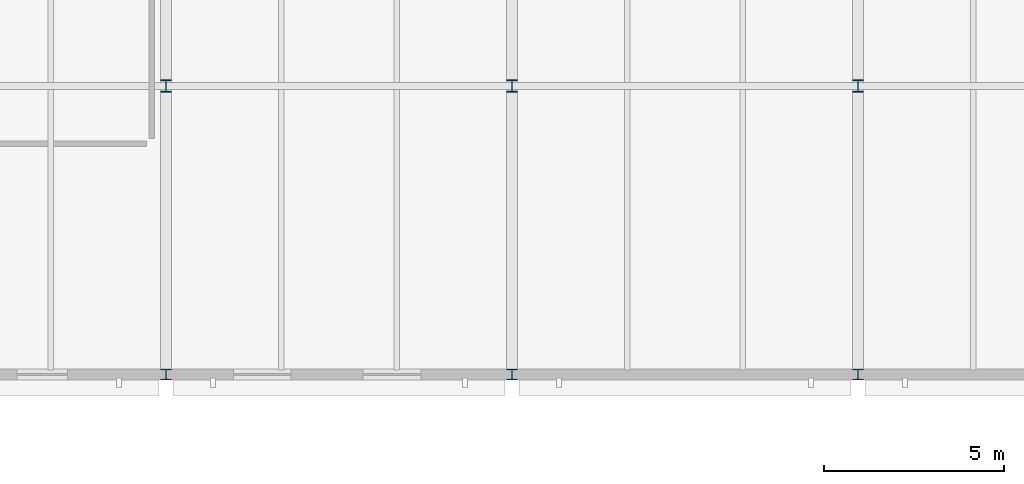
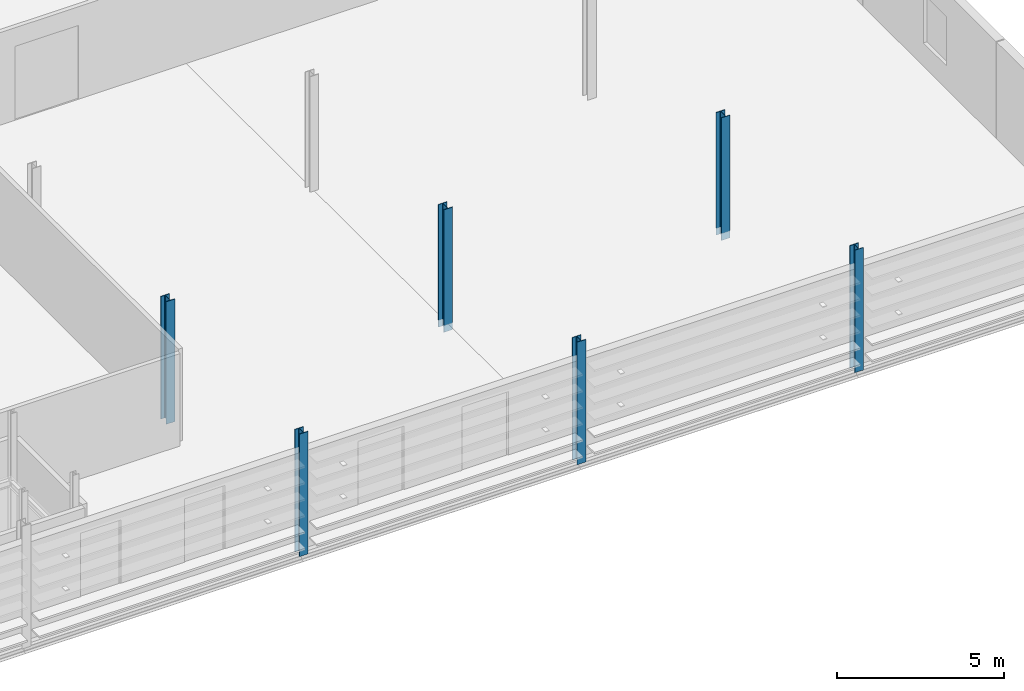
# One storey, part 2 of 73: 6 columns.
"""IFC4 building model written with IfcOpenShell, lengths in metres."""

from ifc_helpers import new_model, si_unit, direction, frame, origin, origin_2d, place, context, subcontext, project, spatial, i_section, extrude, material, material_profile, profile_set, type_object, element, save


model = new_model("IFC4")

# Units and contexts
model_context = context("Model", 3, precision=1e-05, world=origin(), true_north=direction((0.0, 1.0)))
body_context = subcontext(model_context, "Body", "Model", "MODEL_VIEW")
ifc_project = project(units=[si_unit("LENGTHUNIT", "METRE"), si_unit("AREAUNIT", "SQUARE_METRE"), si_unit("VOLUMEUNIT", "CUBIC_METRE"), si_unit("PLANEANGLEUNIT", "RADIAN"), si_unit("MASSUNIT", "GRAM", prefix="KILO")], contexts=[model_context])

# Site, building, storey
site_placement = place(None, origin())
site = spatial("IfcSite", under=ifc_project, at=site_placement, CompositionType="ELEMENT")
building_placement = place(site_placement, origin())
building = spatial("IfcBuilding", under=site, at=building_placement, Name="Alderhovde Museum", CompositionType="ELEMENT")
storey_placement = place(building_placement, frame((0.0, 0.0, 12.89990234375)))
storey = spatial("IfcBuildingStorey", under=building, at=storey_placement, Name="L03", CompositionType="ELEMENT", Elevation=12.89990234375)

# Columns
ifc_material_1 = material(Name="Steel S355J2", Category="steel")
ifc_material_profile_1 = material_profile(ifc_material_1, i_section(OverallWidth=0.300048828125, OverallDepth=0.300048828125, WebThickness=0.010986328125, FlangeThickness=0.01904296875, FilletRadius=0.027099609375, at=origin_2d()), Name="HEB 300")
ifc_profile_set_1 = profile_set([ifc_material_profile_1], Name="Steel S355J2")
column_type_1 = type_object("IfcColumnType", Name="COL-HEB300", PredefinedType="COLUMN", material=ifc_profile_set_1)
for number, where, z_axis, x_axis, name in (
    (1, (38.39990234375, 48.0, -0.260009765625), (0.0, 0.0, 1.0), (1.0, 0.0, 0.0), "L03 Column (38.4, 48.0)"),
    (2, (48.0, 48.0, -0.260009765625), (0.0, 0.0, 1.0), (1.0, 0.0, 0.0), "L03 Column (48.0, 48.0)"),
    (3, (57.60009765625, 48.0, -0.260009765625), (0.0, 0.0, 1.0), (1.0, 0.0, 0.0), "L03 Column (57.6, 48.0)"),
):
    element("IfcColumn", number, at=place(storey_placement, frame(where, z_axis=z_axis, x_axis=x_axis)), inside=storey, type_object=column_type_1, Name=name, PredefinedType="COLUMN", context=body_context, shape_type="SweptSolid", body=[
        extrude(i_section(OverallWidth=0.300048828125, OverallDepth=0.300048828125, WebThickness=0.010986328125, FlangeThickness=0.01904296875, FilletRadius=0.027099609375, at=origin_2d()), origin(), (0.0, 0.0, 1.0), 4.480224609375),
    ])
ifc_material_2 = material(Name="Steel S355J2", Category="steel")
ifc_material_profile_2 = material_profile(ifc_material_2, i_section(OverallWidth=0.300048828125, OverallDepth=0.340087890625, WebThickness=0.011962890625, FlangeThickness=0.021484375, FilletRadius=0.027099609375, at=origin_2d()), Name="HEB 340")
ifc_profile_set_2 = profile_set([ifc_material_profile_2], Name="Steel S355J2")
column_type_2 = type_object("IfcColumnType", Name="COL-HEB340", PredefinedType="COLUMN", material=ifc_profile_set_2)
for number, where, z_axis, x_axis, name in (
    (4, (38.39990234375, 56.0, -0.260009765625), (0.0, 0.0, 1.0), (1.0, 0.0, 0.0), "L03 Column (38.4, 56.0)"),
    (5, (48.0, 56.0, -0.260009765625), (0.0, 0.0, 1.0), (1.0, 0.0, 0.0), "L03 Column (48.0, 56.0)"),
    (6, (57.60009765625, 56.0, -0.260009765625), (0.0, 0.0, 1.0), (1.0, 0.0, 0.0), "L03 Column (57.6, 56.0)"),
):
    element("IfcColumn", number, at=place(storey_placement, frame(where, z_axis=z_axis, x_axis=x_axis)), inside=storey, type_object=column_type_2, Name=name, PredefinedType="COLUMN", context=body_context, shape_type="SweptSolid", body=[
        extrude(i_section(OverallWidth=0.300048828125, OverallDepth=0.340087890625, WebThickness=0.011962890625, FlangeThickness=0.021484375, FilletRadius=0.027099609375, at=origin_2d()), origin(), (0.0, 0.0, 1.0), 4.480224609375),
    ])

save(model, "model.ifc")
